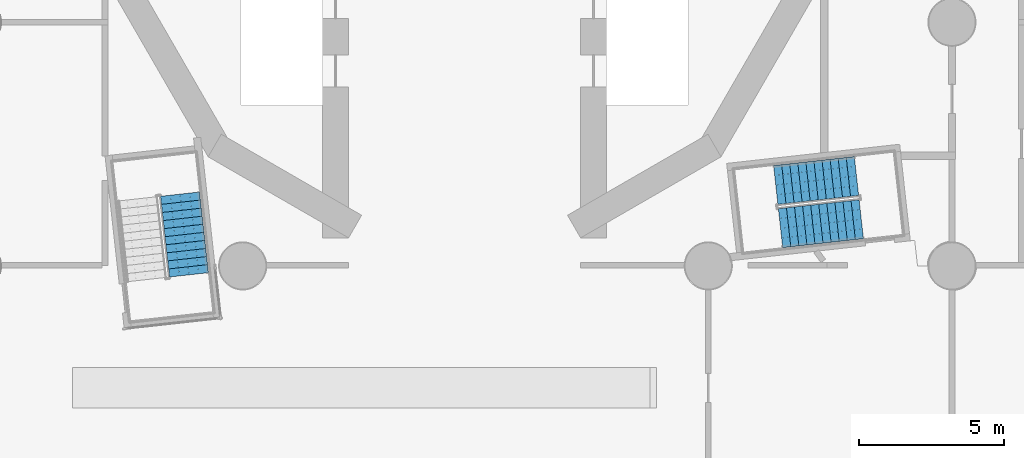
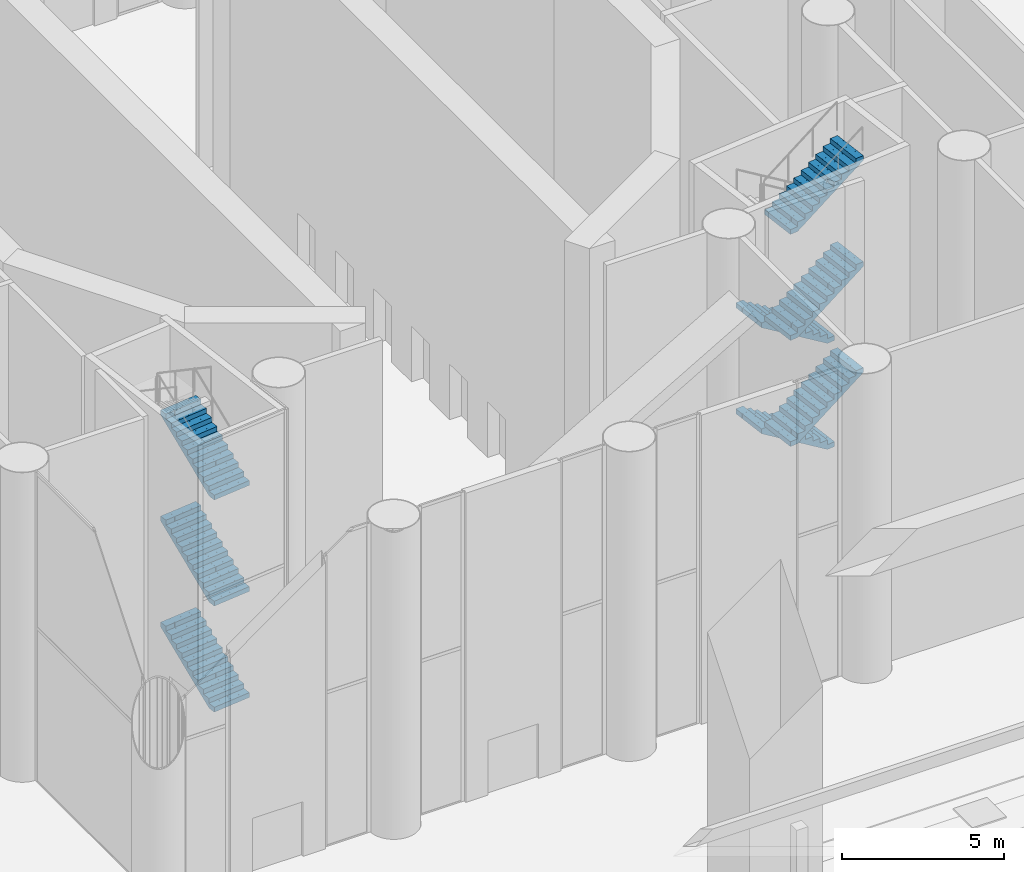
# One storey, part 19 of 52: 8 stair flights, 2 elements without a shape of their own.
"""IFC4 building model written with IfcOpenShell, lengths in metres."""

from ifc_helpers import new_model, si_unit, direction, frame, origin, place, context, subcontext, project, spatial, polyline, outline, extrude, material, type_object, element, aggregate, save


model = new_model("IFC4")

# Units and contexts
model_context = context("Model", 3, precision=1e-05, world=origin(), true_north=direction((0.0, 1.0)))
body_context = subcontext(model_context, "Body", "Model", "MODEL_VIEW")
ifc_project = project(units=[si_unit("LENGTHUNIT", "METRE"), si_unit("AREAUNIT", "SQUARE_METRE"), si_unit("VOLUMEUNIT", "CUBIC_METRE"), si_unit("PLANEANGLEUNIT", "RADIAN"), si_unit("MASSUNIT", "GRAM", prefix="KILO")], contexts=[model_context])

# Site, building, storey
site_placement = place(None, origin())
site = spatial("IfcSite", under=ifc_project, at=site_placement, CompositionType="ELEMENT")
building_placement = place(site_placement, origin())
building = spatial("IfcBuilding", under=site, at=building_placement, Name="Cantera Rosa Tower", CompositionType="ELEMENT")
storey_placement = place(building_placement, origin())
storey = spatial("IfcBuildingStorey", under=building, at=storey_placement, Name="L00", CompositionType="ELEMENT", Elevation=0.0)

# Stair, stair flights
ifc_material_1 = material(Name="Concrete C35/45", Category="concrete")
stair_type = type_object("IfcStairType", Name="EXIT STAIR 1350 DOGLEG", PredefinedType="HALF_TURN_STAIR", material=ifc_material_1)
stair_1_placement = place(storey_placement, origin())
stair_1 = element("IfcStair", 1, at=stair_1_placement, inside=storey, type_object=stair_type, Name="L00 ST-13", PredefinedType="HALF_TURN_STAIR")
ifc_material_2 = material(Name="Concrete C35/45", Category="concrete")
stair_flight_type = type_object("IfcStairFlightType", Name="STAIR FLIGHT 1350 R66x182", PredefinedType="STRAIGHT", material=ifc_material_2)
stair_flight_1_placement = place(storey_placement, frame((-9.500244140625, -12.90869140625, 0.0), z_axis=(0.0, 0.0, 1.0), x_axis=(-0.110312549749, 0.993896947056, 0.0)))
stair_flight_1 = element("IfcStairFlight", 2, at=stair_flight_1_placement, type_object=stair_flight_type, Name="ST-13 flight 1", NumberOfRisers=11, NumberOfTreads=10, PredefinedType="STRAIGHT", RiserHeight=0.181818182, TreadLength=0.28, context=body_context, shape_type="SweptSolid", body=[
    extrude(outline(polyline([(0.0, 0.0), (0.0, 0.181884765625), (0.280029296875, 0.181884765625), (0.280029296875, 0.363525390625), (0.56005859375, 0.363525390625), (0.56005859375, 0.54541015625), (0.840087890625, 0.54541015625), (0.840087890625, 0.727294921875), (1.1201171875, 0.727294921875), (1.1201171875, 0.9091796875), (1.39990234375, 0.9091796875), (1.39990234375, 1.0908203125), (1.679931640625, 1.0908203125), (1.679931640625, 1.272705078125), (1.9599609375, 1.272705078125), (1.9599609375, 1.45458984375), (2.239990234375, 1.45458984375), (2.239990234375, 1.636474609375), (2.52001953125, 1.636474609375), (2.52001953125, 1.818115234375), (2.800048828125, 1.818115234375), (2.800048828125, 2.0), (2.800048828125, 1.639404296875), (0.275146484375, 0.0), (0.0, 0.0)])), frame((0.0, 0.675048828125, 0.0), z_axis=(0.0, -1.0, 0.0), x_axis=(1.0, 0.0, 0.0)), (0.0, 0.0, 1.0), 0.3359375),
    extrude(outline(polyline([(0.0, 0.0), (0.0, 0.181884765625), (0.280029296875, 0.181884765625), (0.280029296875, 0.363525390625), (0.56005859375, 0.363525390625), (0.56005859375, 0.54541015625), (0.840087890625, 0.54541015625), (0.840087890625, 0.727294921875), (1.1201171875, 0.727294921875), (1.1201171875, 0.9091796875), (1.39990234375, 0.9091796875), (1.39990234375, 1.0908203125), (1.679931640625, 1.0908203125), (1.679931640625, 1.272705078125), (1.9599609375, 1.272705078125), (1.9599609375, 1.45458984375), (2.239990234375, 1.45458984375), (2.239990234375, 1.636474609375), (2.52001953125, 1.636474609375), (2.52001953125, 1.818115234375), (2.800048828125, 1.818115234375), (2.800048828125, 2.0), (2.800048828125, 1.639404296875), (0.275146484375, 0.0), (0.0, 0.0)])), frame((0.0, 0.337158203125, 0.0), z_axis=(0.0, -1.0, 0.0), x_axis=(1.0, 0.0, 0.0)), (0.0, 0.0, 1.0), 0.3359375),
    extrude(outline(polyline([(0.0, 0.0), (0.0, 0.181884765625), (0.280029296875, 0.181884765625), (0.280029296875, 0.363525390625), (0.56005859375, 0.363525390625), (0.56005859375, 0.54541015625), (0.840087890625, 0.54541015625), (0.840087890625, 0.727294921875), (1.1201171875, 0.727294921875), (1.1201171875, 0.9091796875), (1.39990234375, 0.9091796875), (1.39990234375, 1.0908203125), (1.679931640625, 1.0908203125), (1.679931640625, 1.272705078125), (1.9599609375, 1.272705078125), (1.9599609375, 1.45458984375), (2.239990234375, 1.45458984375), (2.239990234375, 1.636474609375), (2.52001953125, 1.636474609375), (2.52001953125, 1.818115234375), (2.800048828125, 1.818115234375), (2.800048828125, 2.0), (2.800048828125, 1.639404296875), (0.275146484375, 0.0), (0.0, 0.0)])), frame((0.0, -0.000732421875, 0.0), z_axis=(0.0, -1.0, 0.0), x_axis=(1.0, 0.0, 0.0)), (0.0, 0.0, 1.0), 0.3359375),
    extrude(outline(polyline([(0.0, 0.0), (0.0, 0.181884765625), (0.280029296875, 0.181884765625), (0.280029296875, 0.363525390625), (0.56005859375, 0.363525390625), (0.56005859375, 0.54541015625), (0.840087890625, 0.54541015625), (0.840087890625, 0.727294921875), (1.1201171875, 0.727294921875), (1.1201171875, 0.9091796875), (1.39990234375, 0.9091796875), (1.39990234375, 1.0908203125), (1.679931640625, 1.0908203125), (1.679931640625, 1.272705078125), (1.9599609375, 1.272705078125), (1.9599609375, 1.45458984375), (2.239990234375, 1.45458984375), (2.239990234375, 1.636474609375), (2.52001953125, 1.636474609375), (2.52001953125, 1.818115234375), (2.800048828125, 1.818115234375), (2.800048828125, 2.0), (2.800048828125, 1.639404296875), (0.275146484375, 0.0), (0.0, 0.0)])), frame((0.0, -0.338623046875, 0.0), z_axis=(0.0, -1.0, 0.0), x_axis=(1.0, 0.0, 0.0)), (0.0, 0.0, 1.0), 0.3359375),
])
stair_flight_2_placement = place(storey_placement, frame((-9.500244140625, -12.90869140625, 4.0), z_axis=(0.0, 0.0, 1.0), x_axis=(-0.110312549749, 0.993896947056, 0.0)))
stair_flight_2 = element("IfcStairFlight", 3, at=stair_flight_2_placement, type_object=stair_flight_type, Name="ST-13 flight 3", NumberOfRisers=11, NumberOfTreads=10, PredefinedType="STRAIGHT", RiserHeight=0.181818182, TreadLength=0.28, context=body_context, shape_type="SweptSolid", body=[
    extrude(outline(polyline([(0.0, 0.0), (0.0, 0.181884765625), (0.280029296875, 0.181884765625), (0.280029296875, 0.363525390625), (0.56005859375, 0.363525390625), (0.56005859375, 0.54541015625), (0.840087890625, 0.54541015625), (0.840087890625, 0.727294921875), (1.1201171875, 0.727294921875), (1.1201171875, 0.9091796875), (1.39990234375, 0.9091796875), (1.39990234375, 1.0908203125), (1.679931640625, 1.0908203125), (1.679931640625, 1.272705078125), (1.9599609375, 1.272705078125), (1.9599609375, 1.45458984375), (2.239990234375, 1.45458984375), (2.239990234375, 1.636474609375), (2.52001953125, 1.636474609375), (2.52001953125, 1.818115234375), (2.800048828125, 1.818115234375), (2.800048828125, 2.0), (2.800048828125, 1.639404296875), (0.275146484375, 0.0), (0.0, 0.0)])), frame((0.0, 0.675048828125, 0.0), z_axis=(0.0, -1.0, 0.0), x_axis=(1.0, 0.0, 0.0)), (0.0, 0.0, 1.0), 0.3359375),
    extrude(outline(polyline([(0.0, 0.0), (0.0, 0.181884765625), (0.280029296875, 0.181884765625), (0.280029296875, 0.363525390625), (0.56005859375, 0.363525390625), (0.56005859375, 0.54541015625), (0.840087890625, 0.54541015625), (0.840087890625, 0.727294921875), (1.1201171875, 0.727294921875), (1.1201171875, 0.9091796875), (1.39990234375, 0.9091796875), (1.39990234375, 1.0908203125), (1.679931640625, 1.0908203125), (1.679931640625, 1.272705078125), (1.9599609375, 1.272705078125), (1.9599609375, 1.45458984375), (2.239990234375, 1.45458984375), (2.239990234375, 1.636474609375), (2.52001953125, 1.636474609375), (2.52001953125, 1.818115234375), (2.800048828125, 1.818115234375), (2.800048828125, 2.0), (2.800048828125, 1.639404296875), (0.275146484375, 0.0), (0.0, 0.0)])), frame((0.0, 0.337158203125, 0.0), z_axis=(0.0, -1.0, 0.0), x_axis=(1.0, 0.0, 0.0)), (0.0, 0.0, 1.0), 0.3359375),
    extrude(outline(polyline([(0.0, 0.0), (0.0, 0.181884765625), (0.280029296875, 0.181884765625), (0.280029296875, 0.363525390625), (0.56005859375, 0.363525390625), (0.56005859375, 0.54541015625), (0.840087890625, 0.54541015625), (0.840087890625, 0.727294921875), (1.1201171875, 0.727294921875), (1.1201171875, 0.9091796875), (1.39990234375, 0.9091796875), (1.39990234375, 1.0908203125), (1.679931640625, 1.0908203125), (1.679931640625, 1.272705078125), (1.9599609375, 1.272705078125), (1.9599609375, 1.45458984375), (2.239990234375, 1.45458984375), (2.239990234375, 1.636474609375), (2.52001953125, 1.636474609375), (2.52001953125, 1.818115234375), (2.800048828125, 1.818115234375), (2.800048828125, 2.0), (2.800048828125, 1.639404296875), (0.275146484375, 0.0), (0.0, 0.0)])), frame((0.0, -0.000732421875, 0.0), z_axis=(0.0, -1.0, 0.0), x_axis=(1.0, 0.0, 0.0)), (0.0, 0.0, 1.0), 0.3359375),
    extrude(outline(polyline([(0.0, 0.0), (0.0, 0.181884765625), (0.280029296875, 0.181884765625), (0.280029296875, 0.363525390625), (0.56005859375, 0.363525390625), (0.56005859375, 0.54541015625), (0.840087890625, 0.54541015625), (0.840087890625, 0.727294921875), (1.1201171875, 0.727294921875), (1.1201171875, 0.9091796875), (1.39990234375, 0.9091796875), (1.39990234375, 1.0908203125), (1.679931640625, 1.0908203125), (1.679931640625, 1.272705078125), (1.9599609375, 1.272705078125), (1.9599609375, 1.45458984375), (2.239990234375, 1.45458984375), (2.239990234375, 1.636474609375), (2.52001953125, 1.636474609375), (2.52001953125, 1.818115234375), (2.800048828125, 1.818115234375), (2.800048828125, 2.0), (2.800048828125, 1.639404296875), (0.275146484375, 0.0), (0.0, 0.0)])), frame((0.0, -0.338623046875, 0.0), z_axis=(0.0, -1.0, 0.0), x_axis=(1.0, 0.0, 0.0)), (0.0, 0.0, 1.0), 0.3359375),
])
stair_flight_3_placement = place(storey_placement, frame((-9.500244140625, -12.90869140625, 8.0), z_axis=(0.0, 0.0, 1.0), x_axis=(-0.110312549749, 0.993896947056, 0.0)))
stair_flight_3 = element("IfcStairFlight", 4, at=stair_flight_3_placement, type_object=stair_flight_type, Name="ST-13 flight 5", NumberOfRisers=11, NumberOfTreads=10, PredefinedType="STRAIGHT", RiserHeight=0.181818182, TreadLength=0.28, context=body_context, shape_type="SweptSolid", body=[
    extrude(outline(polyline([(0.0, 0.0), (0.0, 0.181884765625), (0.280029296875, 0.181884765625), (0.280029296875, 0.363525390625), (0.56005859375, 0.363525390625), (0.56005859375, 0.54541015625), (0.840087890625, 0.54541015625), (0.840087890625, 0.727294921875), (1.1201171875, 0.727294921875), (1.1201171875, 0.9091796875), (1.39990234375, 0.9091796875), (1.39990234375, 1.0908203125), (1.679931640625, 1.0908203125), (1.679931640625, 1.272705078125), (1.9599609375, 1.272705078125), (1.9599609375, 1.45458984375), (2.239990234375, 1.45458984375), (2.239990234375, 1.636474609375), (2.52001953125, 1.636474609375), (2.52001953125, 1.818115234375), (2.800048828125, 1.818115234375), (2.800048828125, 2.0), (2.800048828125, 1.639404296875), (0.275146484375, 0.0), (0.0, 0.0)])), frame((0.0, 0.675048828125, 0.0), z_axis=(0.0, -1.0, 0.0), x_axis=(1.0, 0.0, 0.0)), (0.0, 0.0, 1.0), 0.3359375),
    extrude(outline(polyline([(0.0, 0.0), (0.0, 0.181884765625), (0.280029296875, 0.181884765625), (0.280029296875, 0.363525390625), (0.56005859375, 0.363525390625), (0.56005859375, 0.54541015625), (0.840087890625, 0.54541015625), (0.840087890625, 0.727294921875), (1.1201171875, 0.727294921875), (1.1201171875, 0.9091796875), (1.39990234375, 0.9091796875), (1.39990234375, 1.0908203125), (1.679931640625, 1.0908203125), (1.679931640625, 1.272705078125), (1.9599609375, 1.272705078125), (1.9599609375, 1.45458984375), (2.239990234375, 1.45458984375), (2.239990234375, 1.636474609375), (2.52001953125, 1.636474609375), (2.52001953125, 1.818115234375), (2.800048828125, 1.818115234375), (2.800048828125, 2.0), (2.800048828125, 1.639404296875), (0.275146484375, 0.0), (0.0, 0.0)])), frame((0.0, 0.337158203125, 0.0), z_axis=(0.0, -1.0, 0.0), x_axis=(1.0, 0.0, 0.0)), (0.0, 0.0, 1.0), 0.3359375),
    extrude(outline(polyline([(0.0, 0.0), (0.0, 0.181884765625), (0.280029296875, 0.181884765625), (0.280029296875, 0.363525390625), (0.56005859375, 0.363525390625), (0.56005859375, 0.54541015625), (0.840087890625, 0.54541015625), (0.840087890625, 0.727294921875), (1.1201171875, 0.727294921875), (1.1201171875, 0.9091796875), (1.39990234375, 0.9091796875), (1.39990234375, 1.0908203125), (1.679931640625, 1.0908203125), (1.679931640625, 1.272705078125), (1.9599609375, 1.272705078125), (1.9599609375, 1.45458984375), (2.239990234375, 1.45458984375), (2.239990234375, 1.636474609375), (2.52001953125, 1.636474609375), (2.52001953125, 1.818115234375), (2.800048828125, 1.818115234375), (2.800048828125, 2.0), (2.800048828125, 1.639404296875), (0.275146484375, 0.0), (0.0, 0.0)])), frame((0.0, -0.000732421875, 0.0), z_axis=(0.0, -1.0, 0.0), x_axis=(1.0, 0.0, 0.0)), (0.0, 0.0, 1.0), 0.3359375),
    extrude(outline(polyline([(0.0, 0.0), (0.0, 0.181884765625), (0.280029296875, 0.181884765625), (0.280029296875, 0.363525390625), (0.56005859375, 0.363525390625), (0.56005859375, 0.54541015625), (0.840087890625, 0.54541015625), (0.840087890625, 0.727294921875), (1.1201171875, 0.727294921875), (1.1201171875, 0.9091796875), (1.39990234375, 0.9091796875), (1.39990234375, 1.0908203125), (1.679931640625, 1.0908203125), (1.679931640625, 1.272705078125), (1.9599609375, 1.272705078125), (1.9599609375, 1.45458984375), (2.239990234375, 1.45458984375), (2.239990234375, 1.636474609375), (2.52001953125, 1.636474609375), (2.52001953125, 1.818115234375), (2.800048828125, 1.818115234375), (2.800048828125, 2.0), (2.800048828125, 1.639404296875), (0.275146484375, 0.0), (0.0, 0.0)])), frame((0.0, -0.338623046875, 0.0), z_axis=(0.0, -1.0, 0.0), x_axis=(1.0, 0.0, 0.0)), (0.0, 0.0, 1.0), 0.3359375),
])
aggregate(stair_1, [stair_flight_1, stair_flight_2, stair_flight_3])

stair_2_placement = place(storey_placement, origin())
stair_2 = element("IfcStair", 5, at=stair_2_placement, inside=storey, type_object=stair_type, Name="L00 ST-14", PredefinedType="HALF_TURN_STAIR")
stair_flight_4_placement = place(storey_placement, frame((13.5087890625, -9.500244140625, 0.0), z_axis=(0.0, 0.0, 1.0), x_axis=(-0.993896947056, -0.110312549749, 0.0)))
stair_flight_4 = element("IfcStairFlight", 6, at=stair_flight_4_placement, type_object=stair_flight_type, Name="ST-14 flight 1", NumberOfRisers=11, NumberOfTreads=10, PredefinedType="STRAIGHT", RiserHeight=0.181818182, TreadLength=0.28, context=body_context, shape_type="SweptSolid", body=[
    extrude(outline(polyline([(0.0, 0.0), (0.0, 0.181884765625), (0.280029296875, 0.181884765625), (0.280029296875, 0.363525390625), (0.56005859375, 0.363525390625), (0.56005859375, 0.54541015625), (0.840087890625, 0.54541015625), (0.840087890625, 0.727294921875), (1.1201171875, 0.727294921875), (1.1201171875, 0.9091796875), (1.39990234375, 0.9091796875), (1.39990234375, 1.0908203125), (1.679931640625, 1.0908203125), (1.679931640625, 1.272705078125), (1.9599609375, 1.272705078125), (1.9599609375, 1.45458984375), (2.239990234375, 1.45458984375), (2.239990234375, 1.636474609375), (2.52001953125, 1.636474609375), (2.52001953125, 1.818115234375), (2.800048828125, 1.818115234375), (2.800048828125, 2.0), (2.800048828125, 1.639404296875), (0.275146484375, 0.0), (0.0, 0.0)])), frame((0.0, 0.675048828125, 0.0), z_axis=(0.0, -1.0, 0.0), x_axis=(1.0, 0.0, 0.0)), (0.0, 0.0, 1.0), 0.3359375),
    extrude(outline(polyline([(0.0, 0.0), (0.0, 0.181884765625), (0.280029296875, 0.181884765625), (0.280029296875, 0.363525390625), (0.56005859375, 0.363525390625), (0.56005859375, 0.54541015625), (0.840087890625, 0.54541015625), (0.840087890625, 0.727294921875), (1.1201171875, 0.727294921875), (1.1201171875, 0.9091796875), (1.39990234375, 0.9091796875), (1.39990234375, 1.0908203125), (1.679931640625, 1.0908203125), (1.679931640625, 1.272705078125), (1.9599609375, 1.272705078125), (1.9599609375, 1.45458984375), (2.239990234375, 1.45458984375), (2.239990234375, 1.636474609375), (2.52001953125, 1.636474609375), (2.52001953125, 1.818115234375), (2.800048828125, 1.818115234375), (2.800048828125, 2.0), (2.800048828125, 1.639404296875), (0.275146484375, 0.0), (0.0, 0.0)])), frame((0.0, 0.337158203125, 0.0), z_axis=(0.0, -1.0, 0.0), x_axis=(1.0, 0.0, 0.0)), (0.0, 0.0, 1.0), 0.3359375),
    extrude(outline(polyline([(0.0, 0.0), (0.0, 0.181884765625), (0.280029296875, 0.181884765625), (0.280029296875, 0.363525390625), (0.56005859375, 0.363525390625), (0.56005859375, 0.54541015625), (0.840087890625, 0.54541015625), (0.840087890625, 0.727294921875), (1.1201171875, 0.727294921875), (1.1201171875, 0.9091796875), (1.39990234375, 0.9091796875), (1.39990234375, 1.0908203125), (1.679931640625, 1.0908203125), (1.679931640625, 1.272705078125), (1.9599609375, 1.272705078125), (1.9599609375, 1.45458984375), (2.239990234375, 1.45458984375), (2.239990234375, 1.636474609375), (2.52001953125, 1.636474609375), (2.52001953125, 1.818115234375), (2.800048828125, 1.818115234375), (2.800048828125, 2.0), (2.800048828125, 1.639404296875), (0.275146484375, 0.0), (0.0, 0.0)])), frame((0.0, -0.000732421875, 0.0), z_axis=(0.0, -1.0, 0.0), x_axis=(1.0, 0.0, 0.0)), (0.0, 0.0, 1.0), 0.3359375),
    extrude(outline(polyline([(0.0, 0.0), (0.0, 0.181884765625), (0.280029296875, 0.181884765625), (0.280029296875, 0.363525390625), (0.56005859375, 0.363525390625), (0.56005859375, 0.54541015625), (0.840087890625, 0.54541015625), (0.840087890625, 0.727294921875), (1.1201171875, 0.727294921875), (1.1201171875, 0.9091796875), (1.39990234375, 0.9091796875), (1.39990234375, 1.0908203125), (1.679931640625, 1.0908203125), (1.679931640625, 1.272705078125), (1.9599609375, 1.272705078125), (1.9599609375, 1.45458984375), (2.239990234375, 1.45458984375), (2.239990234375, 1.636474609375), (2.52001953125, 1.636474609375), (2.52001953125, 1.818115234375), (2.800048828125, 1.818115234375), (2.800048828125, 2.0), (2.800048828125, 1.639404296875), (0.275146484375, 0.0), (0.0, 0.0)])), frame((0.0, -0.338623046875, 0.0), z_axis=(0.0, -1.0, 0.0), x_axis=(1.0, 0.0, 0.0)), (0.0, 0.0, 1.0), 0.3359375),
])
stair_flight_5_placement = place(storey_placement, frame((10.891357421875, -11.2998046875, 2.0), z_axis=(0.0, 0.0, 1.0), x_axis=(0.993896947056, 0.110312549749, 0.0)))
stair_flight_5 = element("IfcStairFlight", 7, at=stair_flight_5_placement, type_object=stair_flight_type, Name="ST-14 flight 2", NumberOfRisers=11, NumberOfTreads=10, PredefinedType="STRAIGHT", RiserHeight=0.181818182, TreadLength=0.28, context=body_context, shape_type="SweptSolid", body=[
    extrude(outline(polyline([(0.0, 0.0), (0.0, 0.181884765625), (0.280029296875, 0.181884765625), (0.280029296875, 0.363525390625), (0.56005859375, 0.363525390625), (0.56005859375, 0.54541015625), (0.840087890625, 0.54541015625), (0.840087890625, 0.727294921875), (1.1201171875, 0.727294921875), (1.1201171875, 0.9091796875), (1.39990234375, 0.9091796875), (1.39990234375, 1.0908203125), (1.679931640625, 1.0908203125), (1.679931640625, 1.272705078125), (1.9599609375, 1.272705078125), (1.9599609375, 1.45458984375), (2.239990234375, 1.45458984375), (2.239990234375, 1.636474609375), (2.52001953125, 1.636474609375), (2.52001953125, 1.818115234375), (2.800048828125, 1.818115234375), (2.800048828125, 2.0), (2.800048828125, 1.639404296875), (0.275146484375, 0.0), (0.0, 0.0)])), frame((0.0, 0.675048828125, 0.0), z_axis=(0.0, -1.0, 0.0), x_axis=(1.0, 0.0, 0.0)), (0.0, 0.0, 1.0), 0.3359375),
    extrude(outline(polyline([(0.0, 0.0), (0.0, 0.181884765625), (0.280029296875, 0.181884765625), (0.280029296875, 0.363525390625), (0.56005859375, 0.363525390625), (0.56005859375, 0.54541015625), (0.840087890625, 0.54541015625), (0.840087890625, 0.727294921875), (1.1201171875, 0.727294921875), (1.1201171875, 0.9091796875), (1.39990234375, 0.9091796875), (1.39990234375, 1.0908203125), (1.679931640625, 1.0908203125), (1.679931640625, 1.272705078125), (1.9599609375, 1.272705078125), (1.9599609375, 1.45458984375), (2.239990234375, 1.45458984375), (2.239990234375, 1.636474609375), (2.52001953125, 1.636474609375), (2.52001953125, 1.818115234375), (2.800048828125, 1.818115234375), (2.800048828125, 2.0), (2.800048828125, 1.639404296875), (0.275146484375, 0.0), (0.0, 0.0)])), frame((0.0, 0.337158203125, 0.0), z_axis=(0.0, -1.0, 0.0), x_axis=(1.0, 0.0, 0.0)), (0.0, 0.0, 1.0), 0.3359375),
    extrude(outline(polyline([(0.0, 0.0), (0.0, 0.181884765625), (0.280029296875, 0.181884765625), (0.280029296875, 0.363525390625), (0.56005859375, 0.363525390625), (0.56005859375, 0.54541015625), (0.840087890625, 0.54541015625), (0.840087890625, 0.727294921875), (1.1201171875, 0.727294921875), (1.1201171875, 0.9091796875), (1.39990234375, 0.9091796875), (1.39990234375, 1.0908203125), (1.679931640625, 1.0908203125), (1.679931640625, 1.272705078125), (1.9599609375, 1.272705078125), (1.9599609375, 1.45458984375), (2.239990234375, 1.45458984375), (2.239990234375, 1.636474609375), (2.52001953125, 1.636474609375), (2.52001953125, 1.818115234375), (2.800048828125, 1.818115234375), (2.800048828125, 2.0), (2.800048828125, 1.639404296875), (0.275146484375, 0.0), (0.0, 0.0)])), frame((0.0, -0.000732421875, 0.0), z_axis=(0.0, -1.0, 0.0), x_axis=(1.0, 0.0, 0.0)), (0.0, 0.0, 1.0), 0.3359375),
    extrude(outline(polyline([(0.0, 0.0), (0.0, 0.181884765625), (0.280029296875, 0.181884765625), (0.280029296875, 0.363525390625), (0.56005859375, 0.363525390625), (0.56005859375, 0.54541015625), (0.840087890625, 0.54541015625), (0.840087890625, 0.727294921875), (1.1201171875, 0.727294921875), (1.1201171875, 0.9091796875), (1.39990234375, 0.9091796875), (1.39990234375, 1.0908203125), (1.679931640625, 1.0908203125), (1.679931640625, 1.272705078125), (1.9599609375, 1.272705078125), (1.9599609375, 1.45458984375), (2.239990234375, 1.45458984375), (2.239990234375, 1.636474609375), (2.52001953125, 1.636474609375), (2.52001953125, 1.818115234375), (2.800048828125, 1.818115234375), (2.800048828125, 2.0), (2.800048828125, 1.639404296875), (0.275146484375, 0.0), (0.0, 0.0)])), frame((0.0, -0.338623046875, 0.0), z_axis=(0.0, -1.0, 0.0), x_axis=(1.0, 0.0, 0.0)), (0.0, 0.0, 1.0), 0.3359375),
])
stair_flight_6_placement = place(storey_placement, frame((13.5087890625, -9.500244140625, 4.0), z_axis=(0.0, 0.0, 1.0), x_axis=(-0.993896947056, -0.110312549749, 0.0)))
stair_flight_6 = element("IfcStairFlight", 8, at=stair_flight_6_placement, type_object=stair_flight_type, Name="ST-14 flight 3", NumberOfRisers=11, NumberOfTreads=10, PredefinedType="STRAIGHT", RiserHeight=0.181818182, TreadLength=0.28, context=body_context, shape_type="SweptSolid", body=[
    extrude(outline(polyline([(0.0, 0.0), (0.0, 0.181884765625), (0.280029296875, 0.181884765625), (0.280029296875, 0.363525390625), (0.56005859375, 0.363525390625), (0.56005859375, 0.54541015625), (0.840087890625, 0.54541015625), (0.840087890625, 0.727294921875), (1.1201171875, 0.727294921875), (1.1201171875, 0.9091796875), (1.39990234375, 0.9091796875), (1.39990234375, 1.0908203125), (1.679931640625, 1.0908203125), (1.679931640625, 1.272705078125), (1.9599609375, 1.272705078125), (1.9599609375, 1.45458984375), (2.239990234375, 1.45458984375), (2.239990234375, 1.636474609375), (2.52001953125, 1.636474609375), (2.52001953125, 1.818115234375), (2.800048828125, 1.818115234375), (2.800048828125, 2.0), (2.800048828125, 1.639404296875), (0.275146484375, 0.0), (0.0, 0.0)])), frame((0.0, 0.675048828125, 0.0), z_axis=(0.0, -1.0, 0.0), x_axis=(1.0, 0.0, 0.0)), (0.0, 0.0, 1.0), 0.3359375),
    extrude(outline(polyline([(0.0, 0.0), (0.0, 0.181884765625), (0.280029296875, 0.181884765625), (0.280029296875, 0.363525390625), (0.56005859375, 0.363525390625), (0.56005859375, 0.54541015625), (0.840087890625, 0.54541015625), (0.840087890625, 0.727294921875), (1.1201171875, 0.727294921875), (1.1201171875, 0.9091796875), (1.39990234375, 0.9091796875), (1.39990234375, 1.0908203125), (1.679931640625, 1.0908203125), (1.679931640625, 1.272705078125), (1.9599609375, 1.272705078125), (1.9599609375, 1.45458984375), (2.239990234375, 1.45458984375), (2.239990234375, 1.636474609375), (2.52001953125, 1.636474609375), (2.52001953125, 1.818115234375), (2.800048828125, 1.818115234375), (2.800048828125, 2.0), (2.800048828125, 1.639404296875), (0.275146484375, 0.0), (0.0, 0.0)])), frame((0.0, 0.337158203125, 0.0), z_axis=(0.0, -1.0, 0.0), x_axis=(1.0, 0.0, 0.0)), (0.0, 0.0, 1.0), 0.3359375),
    extrude(outline(polyline([(0.0, 0.0), (0.0, 0.181884765625), (0.280029296875, 0.181884765625), (0.280029296875, 0.363525390625), (0.56005859375, 0.363525390625), (0.56005859375, 0.54541015625), (0.840087890625, 0.54541015625), (0.840087890625, 0.727294921875), (1.1201171875, 0.727294921875), (1.1201171875, 0.9091796875), (1.39990234375, 0.9091796875), (1.39990234375, 1.0908203125), (1.679931640625, 1.0908203125), (1.679931640625, 1.272705078125), (1.9599609375, 1.272705078125), (1.9599609375, 1.45458984375), (2.239990234375, 1.45458984375), (2.239990234375, 1.636474609375), (2.52001953125, 1.636474609375), (2.52001953125, 1.818115234375), (2.800048828125, 1.818115234375), (2.800048828125, 2.0), (2.800048828125, 1.639404296875), (0.275146484375, 0.0), (0.0, 0.0)])), frame((0.0, -0.000732421875, 0.0), z_axis=(0.0, -1.0, 0.0), x_axis=(1.0, 0.0, 0.0)), (0.0, 0.0, 1.0), 0.3359375),
    extrude(outline(polyline([(0.0, 0.0), (0.0, 0.181884765625), (0.280029296875, 0.181884765625), (0.280029296875, 0.363525390625), (0.56005859375, 0.363525390625), (0.56005859375, 0.54541015625), (0.840087890625, 0.54541015625), (0.840087890625, 0.727294921875), (1.1201171875, 0.727294921875), (1.1201171875, 0.9091796875), (1.39990234375, 0.9091796875), (1.39990234375, 1.0908203125), (1.679931640625, 1.0908203125), (1.679931640625, 1.272705078125), (1.9599609375, 1.272705078125), (1.9599609375, 1.45458984375), (2.239990234375, 1.45458984375), (2.239990234375, 1.636474609375), (2.52001953125, 1.636474609375), (2.52001953125, 1.818115234375), (2.800048828125, 1.818115234375), (2.800048828125, 2.0), (2.800048828125, 1.639404296875), (0.275146484375, 0.0), (0.0, 0.0)])), frame((0.0, -0.338623046875, 0.0), z_axis=(0.0, -1.0, 0.0), x_axis=(1.0, 0.0, 0.0)), (0.0, 0.0, 1.0), 0.3359375),
])
stair_flight_7_placement = place(storey_placement, frame((10.891357421875, -11.2998046875, 6.0), z_axis=(0.0, 0.0, 1.0), x_axis=(0.993896947056, 0.110312549749, 0.0)))
stair_flight_7 = element("IfcStairFlight", 9, at=stair_flight_7_placement, type_object=stair_flight_type, Name="ST-14 flight 4", NumberOfRisers=11, NumberOfTreads=10, PredefinedType="STRAIGHT", RiserHeight=0.181818182, TreadLength=0.28, context=body_context, shape_type="SweptSolid", body=[
    extrude(outline(polyline([(0.0, 0.0), (0.0, 0.181884765625), (0.280029296875, 0.181884765625), (0.280029296875, 0.363525390625), (0.56005859375, 0.363525390625), (0.56005859375, 0.54541015625), (0.840087890625, 0.54541015625), (0.840087890625, 0.727294921875), (1.1201171875, 0.727294921875), (1.1201171875, 0.9091796875), (1.39990234375, 0.9091796875), (1.39990234375, 1.0908203125), (1.679931640625, 1.0908203125), (1.679931640625, 1.272705078125), (1.9599609375, 1.272705078125), (1.9599609375, 1.45458984375), (2.239990234375, 1.45458984375), (2.239990234375, 1.636474609375), (2.52001953125, 1.636474609375), (2.52001953125, 1.818115234375), (2.800048828125, 1.818115234375), (2.800048828125, 2.0), (2.800048828125, 1.639404296875), (0.275146484375, 0.0), (0.0, 0.0)])), frame((0.0, 0.675048828125, 0.0), z_axis=(0.0, -1.0, 0.0), x_axis=(1.0, 0.0, 0.0)), (0.0, 0.0, 1.0), 0.3359375),
    extrude(outline(polyline([(0.0, 0.0), (0.0, 0.181884765625), (0.280029296875, 0.181884765625), (0.280029296875, 0.363525390625), (0.56005859375, 0.363525390625), (0.56005859375, 0.54541015625), (0.840087890625, 0.54541015625), (0.840087890625, 0.727294921875), (1.1201171875, 0.727294921875), (1.1201171875, 0.9091796875), (1.39990234375, 0.9091796875), (1.39990234375, 1.0908203125), (1.679931640625, 1.0908203125), (1.679931640625, 1.272705078125), (1.9599609375, 1.272705078125), (1.9599609375, 1.45458984375), (2.239990234375, 1.45458984375), (2.239990234375, 1.636474609375), (2.52001953125, 1.636474609375), (2.52001953125, 1.818115234375), (2.800048828125, 1.818115234375), (2.800048828125, 2.0), (2.800048828125, 1.639404296875), (0.275146484375, 0.0), (0.0, 0.0)])), frame((0.0, 0.337158203125, 0.0), z_axis=(0.0, -1.0, 0.0), x_axis=(1.0, 0.0, 0.0)), (0.0, 0.0, 1.0), 0.3359375),
    extrude(outline(polyline([(0.0, 0.0), (0.0, 0.181884765625), (0.280029296875, 0.181884765625), (0.280029296875, 0.363525390625), (0.56005859375, 0.363525390625), (0.56005859375, 0.54541015625), (0.840087890625, 0.54541015625), (0.840087890625, 0.727294921875), (1.1201171875, 0.727294921875), (1.1201171875, 0.9091796875), (1.39990234375, 0.9091796875), (1.39990234375, 1.0908203125), (1.679931640625, 1.0908203125), (1.679931640625, 1.272705078125), (1.9599609375, 1.272705078125), (1.9599609375, 1.45458984375), (2.239990234375, 1.45458984375), (2.239990234375, 1.636474609375), (2.52001953125, 1.636474609375), (2.52001953125, 1.818115234375), (2.800048828125, 1.818115234375), (2.800048828125, 2.0), (2.800048828125, 1.639404296875), (0.275146484375, 0.0), (0.0, 0.0)])), frame((0.0, -0.000732421875, 0.0), z_axis=(0.0, -1.0, 0.0), x_axis=(1.0, 0.0, 0.0)), (0.0, 0.0, 1.0), 0.3359375),
    extrude(outline(polyline([(0.0, 0.0), (0.0, 0.181884765625), (0.280029296875, 0.181884765625), (0.280029296875, 0.363525390625), (0.56005859375, 0.363525390625), (0.56005859375, 0.54541015625), (0.840087890625, 0.54541015625), (0.840087890625, 0.727294921875), (1.1201171875, 0.727294921875), (1.1201171875, 0.9091796875), (1.39990234375, 0.9091796875), (1.39990234375, 1.0908203125), (1.679931640625, 1.0908203125), (1.679931640625, 1.272705078125), (1.9599609375, 1.272705078125), (1.9599609375, 1.45458984375), (2.239990234375, 1.45458984375), (2.239990234375, 1.636474609375), (2.52001953125, 1.636474609375), (2.52001953125, 1.818115234375), (2.800048828125, 1.818115234375), (2.800048828125, 2.0), (2.800048828125, 1.639404296875), (0.275146484375, 0.0), (0.0, 0.0)])), frame((0.0, -0.338623046875, 0.0), z_axis=(0.0, -1.0, 0.0), x_axis=(1.0, 0.0, 0.0)), (0.0, 0.0, 1.0), 0.3359375),
])
stair_flight_8_placement = place(storey_placement, frame((10.891357421875, -11.2998046875, 10.0), z_axis=(0.0, 0.0, 1.0), x_axis=(0.993896947056, 0.110312549749, 0.0)))
stair_flight_8 = element("IfcStairFlight", 10, at=stair_flight_8_placement, type_object=stair_flight_type, Name="ST-14 flight 6", NumberOfRisers=11, NumberOfTreads=10, PredefinedType="STRAIGHT", RiserHeight=0.181818182, TreadLength=0.28, context=body_context, shape_type="SweptSolid", body=[
    extrude(outline(polyline([(0.0, 0.0), (0.0, 0.181884765625), (0.280029296875, 0.181884765625), (0.280029296875, 0.363525390625), (0.56005859375, 0.363525390625), (0.56005859375, 0.54541015625), (0.840087890625, 0.54541015625), (0.840087890625, 0.727294921875), (1.1201171875, 0.727294921875), (1.1201171875, 0.9091796875), (1.39990234375, 0.9091796875), (1.39990234375, 1.0908203125), (1.679931640625, 1.0908203125), (1.679931640625, 1.272705078125), (1.9599609375, 1.272705078125), (1.9599609375, 1.45458984375), (2.239990234375, 1.45458984375), (2.239990234375, 1.636474609375), (2.52001953125, 1.636474609375), (2.52001953125, 1.818115234375), (2.800048828125, 1.818115234375), (2.800048828125, 2.0), (2.800048828125, 1.639404296875), (0.275146484375, 0.0), (0.0, 0.0)])), frame((0.0, 0.675048828125, 0.0), z_axis=(0.0, -1.0, 0.0), x_axis=(1.0, 0.0, 0.0)), (0.0, 0.0, 1.0), 0.3359375),
    extrude(outline(polyline([(0.0, 0.0), (0.0, 0.181884765625), (0.280029296875, 0.181884765625), (0.280029296875, 0.363525390625), (0.56005859375, 0.363525390625), (0.56005859375, 0.54541015625), (0.840087890625, 0.54541015625), (0.840087890625, 0.727294921875), (1.1201171875, 0.727294921875), (1.1201171875, 0.9091796875), (1.39990234375, 0.9091796875), (1.39990234375, 1.0908203125), (1.679931640625, 1.0908203125), (1.679931640625, 1.272705078125), (1.9599609375, 1.272705078125), (1.9599609375, 1.45458984375), (2.239990234375, 1.45458984375), (2.239990234375, 1.636474609375), (2.52001953125, 1.636474609375), (2.52001953125, 1.818115234375), (2.800048828125, 1.818115234375), (2.800048828125, 2.0), (2.800048828125, 1.639404296875), (0.275146484375, 0.0), (0.0, 0.0)])), frame((0.0, 0.337158203125, 0.0), z_axis=(0.0, -1.0, 0.0), x_axis=(1.0, 0.0, 0.0)), (0.0, 0.0, 1.0), 0.3359375),
    extrude(outline(polyline([(0.0, 0.0), (0.0, 0.181884765625), (0.280029296875, 0.181884765625), (0.280029296875, 0.363525390625), (0.56005859375, 0.363525390625), (0.56005859375, 0.54541015625), (0.840087890625, 0.54541015625), (0.840087890625, 0.727294921875), (1.1201171875, 0.727294921875), (1.1201171875, 0.9091796875), (1.39990234375, 0.9091796875), (1.39990234375, 1.0908203125), (1.679931640625, 1.0908203125), (1.679931640625, 1.272705078125), (1.9599609375, 1.272705078125), (1.9599609375, 1.45458984375), (2.239990234375, 1.45458984375), (2.239990234375, 1.636474609375), (2.52001953125, 1.636474609375), (2.52001953125, 1.818115234375), (2.800048828125, 1.818115234375), (2.800048828125, 2.0), (2.800048828125, 1.639404296875), (0.275146484375, 0.0), (0.0, 0.0)])), frame((0.0, -0.000732421875, 0.0), z_axis=(0.0, -1.0, 0.0), x_axis=(1.0, 0.0, 0.0)), (0.0, 0.0, 1.0), 0.3359375),
    extrude(outline(polyline([(0.0, 0.0), (0.0, 0.181884765625), (0.280029296875, 0.181884765625), (0.280029296875, 0.363525390625), (0.56005859375, 0.363525390625), (0.56005859375, 0.54541015625), (0.840087890625, 0.54541015625), (0.840087890625, 0.727294921875), (1.1201171875, 0.727294921875), (1.1201171875, 0.9091796875), (1.39990234375, 0.9091796875), (1.39990234375, 1.0908203125), (1.679931640625, 1.0908203125), (1.679931640625, 1.272705078125), (1.9599609375, 1.272705078125), (1.9599609375, 1.45458984375), (2.239990234375, 1.45458984375), (2.239990234375, 1.636474609375), (2.52001953125, 1.636474609375), (2.52001953125, 1.818115234375), (2.800048828125, 1.818115234375), (2.800048828125, 2.0), (2.800048828125, 1.639404296875), (0.275146484375, 0.0), (0.0, 0.0)])), frame((0.0, -0.338623046875, 0.0), z_axis=(0.0, -1.0, 0.0), x_axis=(1.0, 0.0, 0.0)), (0.0, 0.0, 1.0), 0.3359375),
])
aggregate(stair_2, [stair_flight_4, stair_flight_5, stair_flight_6, stair_flight_7, stair_flight_8])

save(model, "model.ifc")
